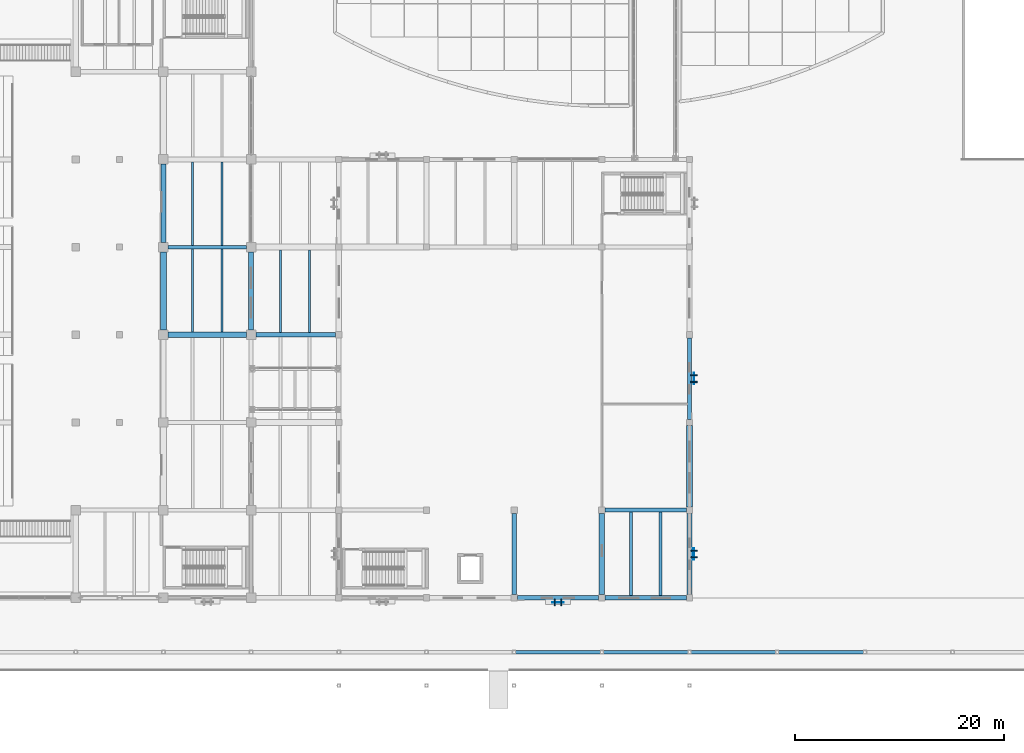
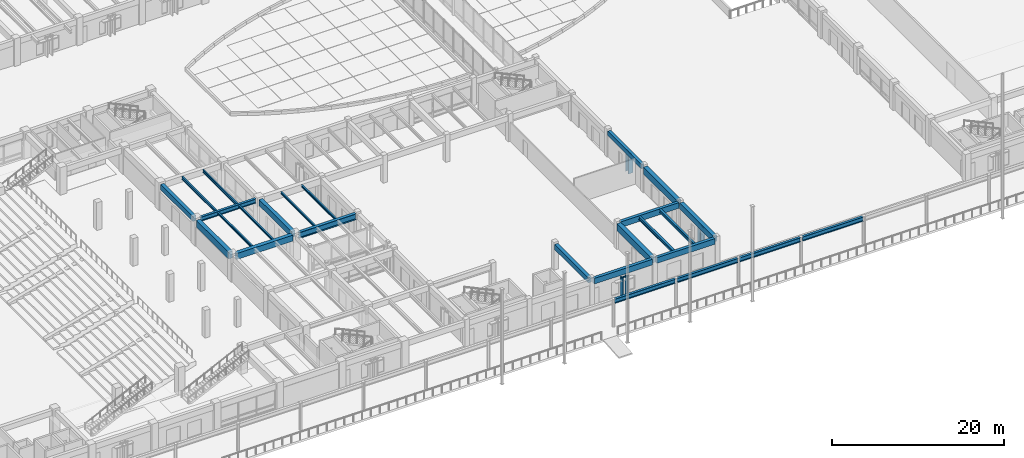
# One storey, part 31 of 135: 26 beams, 9 members, 3 elements without a shape of their own.
"""IFC4 building model written with IfcOpenShell, lengths in metres."""

from ifc_helpers import new_model, si_unit, direction, frame, origin, origin_2d, place, context, subcontext, project, spatial, rectangle, i_section, extrude, material, material_profile, profile_set, type_object, element, aggregate, save


model = new_model("IFC4")

# Units and contexts
model_context = context("Model", 3, precision=1e-05, world=origin(), true_north=direction((0.0, 1.0)))
body_context = subcontext(model_context, "Body", "Model", "MODEL_VIEW")
ifc_project = project(units=[si_unit("LENGTHUNIT", "METRE"), si_unit("AREAUNIT", "SQUARE_METRE"), si_unit("VOLUMEUNIT", "CUBIC_METRE"), si_unit("PLANEANGLEUNIT", "RADIAN"), si_unit("MASSUNIT", "GRAM", prefix="KILO")], contexts=[model_context])

# Site, building, storey
site_placement = place(None, origin())
site = spatial("IfcSite", under=ifc_project, at=site_placement, CompositionType="ELEMENT")
building_placement = place(site_placement, origin())
building = spatial("IfcBuilding", under=site, at=building_placement, Name="Cumbredor Promenade Congress Hotel", CompositionType="ELEMENT")
storey_placement = place(building_placement, origin())
storey = spatial("IfcBuildingStorey", under=building, at=storey_placement, Name="L00", CompositionType="ELEMENT", Elevation=0.0)

# Beams
ifc_material_1 = material(Name="Concrete C40/50", Category="concrete")
ifc_material_profile_1 = material_profile(ifc_material_1, rectangle(XDim=0.39990234375, YDim=0.64990234375, at=origin_2d()), Name="RC BEAM 400x650")
ifc_profile_set_1 = profile_set([ifc_material_profile_1], Name="Concrete C40/50")
beam_type_1 = type_object("IfcBeamType", Name="BM-RC-400x650", PredefinedType="BEAM", material=ifc_profile_set_1)
beam_1_placement = place(storey_placement, frame((109.199951171875, 25.5, 3.31494140625), z_axis=(0.0, 1.0, 0.0), x_axis=(-1.0, 0.0, 0.0)))
element("IfcBeam", 1, at=beam_1_placement, inside=storey, type_object=beam_type_1, Name="L01 Y-Grid Beam 190", PredefinedType="BEAM", context=body_context, shape_type="SweptSolid", body=[
    extrude(rectangle(XDim=0.39990234375, YDim=0.64990234375, at=origin_2d()), origin(), (0.0, 0.0, 1.0), 7.800048828125),
])
ifc_material_profile_2 = material_profile(ifc_material_1, rectangle(XDim=0.449951171875, YDim=0.75, at=origin_2d()), Name="RC BEAM 450x750")
ifc_profile_set_2 = profile_set([ifc_material_profile_2], Name="Concrete C40/50")
beam_type_2 = type_object("IfcBeamType", Name="BM-RC-450x750", PredefinedType="BEAM", material=ifc_profile_set_2)
beam_2_placement = place(storey_placement, frame((58.800048828125, 42.449951171875, 3.264892578125), z_axis=(0.0, 1.0, 0.0), x_axis=(-1.0, 0.0, 0.0)))
element("IfcBeam", 2, at=beam_2_placement, inside=storey, type_object=beam_type_2, Name="L01 Y-Grid Beam 095", PredefinedType="BEAM", context=body_context, shape_type="SweptSolid", body=[
    extrude(rectangle(XDim=0.449951171875, YDim=0.75, at=origin_2d()), origin(), (0.0, 0.0, 1.0), 7.5),
])
beam_3_placement = place(storey_placement, frame((92.39990234375, 8.699951171875, 3.264892578125), z_axis=(0.0, 1.0, 0.0), x_axis=(-1.0, 0.0, 0.0)))
element("IfcBeam", 3, at=beam_3_placement, inside=storey, type_object=beam_type_2, Name="L01 Y-Grid Beam 163", PredefinedType="BEAM", context=body_context, shape_type="SweptSolid", body=[
    extrude(rectangle(XDim=0.449951171875, YDim=0.75, at=origin_2d()), origin(), (0.0, 0.0, 1.0), 7.800048828125),
])
ifc_material_profile_3 = material_profile(ifc_material_1, rectangle(XDim=0.5, YDim=0.85009765625, at=origin_2d()), Name="RC BEAM 500x850")
ifc_profile_set_3 = profile_set([ifc_material_profile_3], Name="Concrete C40/50")
beam_type_3 = type_object("IfcBeamType", Name="BM-RC-500x850", PredefinedType="BEAM", material=ifc_profile_set_3)
for number, where, z_axis, x_axis, name in (
    (4, (59.25, 33.60009765625, 3.215087890625), (1.0, 0.0, 0.0), (0.0, 1.0, 0.0), "L01 X-Grid Beam 092"),
    (5, (67.199951171875, 34.050048828125, 3.215087890625), (0.0, 1.0, 0.0), (-1.0, 0.0, 0.0), "L01 Y-Grid Beam 116"),
):
    element("IfcBeam", number, at=place(storey_placement, frame(where, z_axis=z_axis, x_axis=x_axis)), inside=storey, type_object=beam_type_3, Name=name, PredefinedType="BEAM", context=body_context, shape_type="SweptSolid", body=[
        extrude(rectangle(XDim=0.5, YDim=0.85009765625, at=origin_2d()), origin(), (0.0, 0.0, 1.0), 7.5),
    ])
beam_4_placement = place(storey_placement, frame((109.199951171875, 8.699951171875, 3.215087890625), z_axis=(0.0, 1.0, 0.0), x_axis=(-1.0, 0.0, 0.0)))
element("IfcBeam", 6, at=beam_4_placement, inside=storey, type_object=beam_type_3, Name="L01 Y-Grid Beam 188", PredefinedType="BEAM", context=body_context, shape_type="SweptSolid", body=[
    extrude(rectangle(XDim=0.5, YDim=0.85009765625, at=origin_2d()), origin(), (0.0, 0.0, 1.0), 7.800048828125),
])
ifc_material_profile_4 = material_profile(ifc_material_1, rectangle(XDim=0.550048828125, YDim=0.949951171875, at=origin_2d()), Name="RC BEAM 550x950")
ifc_profile_set_4 = profile_set([ifc_material_profile_4], Name="Concrete C40/50")
beam_type_4 = type_object("IfcBeamType", Name="BM-RC-550x950", PredefinedType="BEAM", material=ifc_profile_set_4)
beam_5_placement = place(storey_placement, frame((58.800048828125, 34.050048828125, 3.1650390625), z_axis=(0.0, 1.0, 0.0), x_axis=(-1.0, 0.0, 0.0)))
element("IfcBeam", 7, at=beam_5_placement, inside=storey, type_object=beam_type_4, Name="L01 Y-Grid Beam 093", PredefinedType="BEAM", context=body_context, shape_type="SweptSolid", body=[
    extrude(rectangle(XDim=0.550048828125, YDim=0.949951171875, at=origin_2d()), origin(), (0.0, 0.0, 1.0), 7.5),
])
beam_6_placement = place(storey_placement, frame((100.800048828125, 8.699951171875, 3.1650390625), z_axis=(0.0, 1.0, 0.0), x_axis=(-1.0, 0.0, 0.0)))
element("IfcBeam", 8, at=beam_6_placement, inside=storey, type_object=beam_type_4, Name="L01 Y-Grid Beam 177", PredefinedType="BEAM", context=body_context, shape_type="SweptSolid", body=[
    extrude(rectangle(XDim=0.550048828125, YDim=0.949951171875, at=origin_2d()), origin(), (0.0, 0.0, 1.0), 7.800048828125),
])
beam_7_placement = place(storey_placement, frame((109.199951171875, 17.10009765625, 3.1650390625), z_axis=(0.0, 1.0, 0.0), x_axis=(-1.0, 0.0, 0.0)))
element("IfcBeam", 9, at=beam_7_placement, inside=storey, type_object=beam_type_4, Name="L01 Y-Grid Beam 189", PredefinedType="BEAM", context=body_context, shape_type="SweptSolid", body=[
    extrude(rectangle(XDim=0.550048828125, YDim=0.949951171875, at=origin_2d()), origin(), (0.0, 0.0, 1.0), 7.7998046875),
])
ifc_material_2 = material(Name="Steel ASTM A992 Grade 50", Category="steel")
ifc_material_profile_5 = material_profile(ifc_material_2, i_section(OverallWidth=0.323974609375, OverallDepth=0.611083984375, WebThickness=0.0126953125, FlangeThickness=0.01904296875, at=origin_2d()), Name="W24X104")
ifc_profile_set_5 = profile_set([ifc_material_profile_5], Name="Steel ASTM A992 Grade 50")
beam_type_5 = type_object("IfcBeamType", Name="BM-W24X104", PredefinedType="BEAM", material=ifc_profile_set_5)
beam_8_placement = place(storey_placement, frame((92.5400390625, 3.199951171875, 3.60009765625), z_axis=(1.0, 0.0, 0.0), x_axis=(0.0, 1.0, 0.0)))
element("IfcBeam", 10, at=beam_8_placement, inside=storey, type_object=beam_type_5, Name="Riverside Colonnade Edge Beam 11", PredefinedType="BEAM", context=body_context, shape_type="SweptSolid", body=[
    extrude(i_section(OverallWidth=0.323974609375, OverallDepth=0.611083984375, WebThickness=0.0126953125, FlangeThickness=0.01904296875, at=origin_2d()), origin(), (0.0, 0.0, 1.0), 8.119873046875),
])
beam_9_placement = place(storey_placement, frame((100.93994140625, 3.199951171875, 3.60009765625), z_axis=(1.0, 0.0, 0.0), x_axis=(0.0, 1.0, 0.0)))
element("IfcBeam", 11, at=beam_9_placement, inside=storey, type_object=beam_type_5, Name="Riverside Colonnade Edge Beam 12", PredefinedType="BEAM", context=body_context, shape_type="SweptSolid", body=[
    extrude(i_section(OverallWidth=0.323974609375, OverallDepth=0.611083984375, WebThickness=0.0126953125, FlangeThickness=0.01904296875, at=origin_2d()), origin(), (0.0, 0.0, 1.0), 8.1201171875),
])
beam_10_placement = place(storey_placement, frame((109.340087890625, 3.199951171875, 3.60009765625), z_axis=(1.0, 0.0, 0.0), x_axis=(0.0, 1.0, 0.0)))
element("IfcBeam", 12, at=beam_10_placement, inside=storey, type_object=beam_type_5, Name="Riverside Colonnade Edge Beam 13", PredefinedType="BEAM", context=body_context, shape_type="SweptSolid", body=[
    extrude(i_section(OverallWidth=0.323974609375, OverallDepth=0.611083984375, WebThickness=0.0126953125, FlangeThickness=0.01904296875, at=origin_2d()), origin(), (0.0, 0.0, 1.0), 8.119873046875),
])
beam_11_placement = place(storey_placement, frame((117.739990234375, 3.199951171875, 3.60009765625), z_axis=(1.0, 0.0, 0.0), x_axis=(0.0, 1.0, 0.0)))
element("IfcBeam", 13, at=beam_11_placement, inside=storey, type_object=beam_type_5, Name="Riverside Colonnade Edge Beam 14", PredefinedType="BEAM", context=body_context, shape_type="SweptSolid", body=[
    extrude(i_section(OverallWidth=0.323974609375, OverallDepth=0.611083984375, WebThickness=0.0126953125, FlangeThickness=0.01904296875, at=origin_2d()), origin(), (0.0, 0.0, 1.0), 8.1201171875),
])
beam_12_placement = place(storey_placement, frame((59.25, 42.0, 3.33447265625), z_axis=(1.0, 0.0, 0.0), x_axis=(0.0, 1.0, 0.0)))
element("IfcBeam", 14, at=beam_12_placement, inside=storey, type_object=beam_type_5, Name="L01 X-Grid Beam 094", PredefinedType="BEAM", context=body_context, shape_type="SweptSolid", body=[
    extrude(i_section(OverallWidth=0.323974609375, OverallDepth=0.611083984375, WebThickness=0.0126953125, FlangeThickness=0.01904296875, at=origin_2d()), origin(), (0.0, 0.0, 1.0), 7.5),
])
ifc_material_profile_6 = material_profile(ifc_material_2, i_section(OverallWidth=0.39990234375, OverallDepth=0.85498046875, WebThickness=0.018310546875, FlangeThickness=0.029296875, at=origin_2d()), Name="W33X201")
ifc_profile_set_6 = profile_set([ifc_material_profile_6], Name="Steel ASTM A992 Grade 50")
beam_type_6 = type_object("IfcBeamType", Name="BM-W33X201", PredefinedType="BEAM", material=ifc_profile_set_6)
beam_13_placement = place(storey_placement, frame((67.64990234375, 33.60009765625, 3.21240234375), z_axis=(1.0, 0.0, 0.0), x_axis=(0.0, 1.0, 0.0)))
element("IfcBeam", 15, at=beam_13_placement, inside=storey, type_object=beam_type_6, Name="L01 X-Grid Beam 115", PredefinedType="BEAM", context=body_context, shape_type="SweptSolid", body=[
    extrude(i_section(OverallWidth=0.39990234375, OverallDepth=0.85498046875, WebThickness=0.018310546875, FlangeThickness=0.029296875, at=origin_2d()), origin(), (0.0, 0.0, 1.0), 7.650146484375),
])

# Curtain wall, member
ifc_material_3 = material(Name="Thermally broken anodized aluminium and low-E glass", Category="aluminium")
curtain_wall_type = type_object("IfcCurtainWallType", Name="Solar Brise-Soleil Screen Assembly CW-07", PredefinedType="NOTDEFINED", material=ifc_material_3)
curtain_wall_1_placement = place(storey_placement, origin())
curtain_wall_1 = element("IfcCurtainWall", 16, at=curtain_wall_1_placement, inside=storey, type_object=curtain_wall_type, Name="L00 Pier Brise-Soleil Screen 0034", PredefinedType="NOTDEFINED")
ifc_material_4 = material(Name="Thermally broken anodized aluminium", Category="aluminium")
ifc_material_profile_7 = material_profile(ifc_material_4, rectangle(XDim=0.06494140625, YDim=0.1298828125, at=origin_2d()), Name="ALU TRANSOM 65x130")
ifc_profile_set_7 = profile_set([ifc_material_profile_7], Name="Thermally broken anodized aluminium")
member_type_1 = type_object("IfcMemberType", Name="Curtain Wall Transom TR-01", PredefinedType="USERDEFINED", material=ifc_profile_set_7)
member_1_placement = place(storey_placement, frame((96.050048828125, 7.965087890625, 2.6650390625), z_axis=(1.0, 0.0, 0.0), x_axis=(0.0, 1.0, 0.0)))
member_1 = element("IfcMember", 17, at=member_1_placement, type_object=member_type_1, Name="L00 Pier Brise-Soleil Header 0036", ObjectType="TRANSOM", PredefinedType="USERDEFINED", context=body_context, shape_type="SweptSolid", body=[
    extrude(rectangle(XDim=0.06494140625, YDim=0.1298828125, at=origin_2d()), origin(), (0.0, 0.0, 1.0), 1.099853515625),
])

curtain_wall_2_placement = place(storey_placement, origin())
curtain_wall_2 = element("IfcCurtainWall", 18, at=curtain_wall_2_placement, inside=storey, type_object=curtain_wall_type, Name="L00 Pier Brise-Soleil Screen 0046", PredefinedType="NOTDEFINED")
member_2_placement = place(storey_placement, frame((109.610107421875, 12.050048828125, 2.614990234375), z_axis=(0.0, 1.0, 0.0), x_axis=(-1.0, 0.0, 0.0)))
member_2 = element("IfcMember", 19, at=member_2_placement, type_object=member_type_1, Name="L00 Pier Brise-Soleil Header 0048", ObjectType="TRANSOM", PredefinedType="USERDEFINED", context=body_context, shape_type="SweptSolid", body=[
    extrude(rectangle(XDim=0.06494140625, YDim=0.1298828125, at=origin_2d()), origin(), (0.0, 0.0, 1.0), 1.099853515625),
])

curtain_wall_3_placement = place(storey_placement, origin())
curtain_wall_3 = element("IfcCurtainWall", 20, at=curtain_wall_3_placement, inside=storey, type_object=curtain_wall_type, Name="L00 Pier Brise-Soleil Screen 0049", PredefinedType="NOTDEFINED")
member_3_placement = place(storey_placement, frame((109.635009765625, 28.85009765625, 2.81494140625), z_axis=(0.0, 1.0, 0.0), x_axis=(-1.0, 0.0, 0.0)))
member_3 = element("IfcMember", 21, at=member_3_placement, type_object=member_type_1, Name="L00 Pier Brise-Soleil Header 0051", ObjectType="TRANSOM", PredefinedType="USERDEFINED", context=body_context, shape_type="SweptSolid", body=[
    extrude(rectangle(XDim=0.06494140625, YDim=0.1298828125, at=origin_2d()), origin(), (0.0, 0.0, 1.0), 1.099853515625),
])

# Beams
ifc_material_profile_8 = material_profile(ifc_material_2, i_section(OverallWidth=0.202880859375, OverallDepth=0.302978515625, WebThickness=0.007568359375, FlangeThickness=0.01318359375, at=origin_2d()), Name="W12X40")
ifc_profile_set_8 = profile_set([ifc_material_profile_8], Name="Steel ASTM A992 Grade 50")
beam_type_7 = type_object("IfcBeamType", Name="JST-W12X40", PredefinedType="JOIST", material=ifc_profile_set_8)
for number, where, z_axis, x_axis, name in (
    (22, (61.60009765625, 33.85009765625, 3.488525390625), (0.0, 1.0, 0.0), (-1.0, 0.0, 0.0), "L01 Secondary Floor Joist 0048"),
    (23, (64.39990234375, 33.85009765625, 3.488525390625), (0.0, 1.0, 0.0), (-1.0, 0.0, 0.0), "L01 Secondary Floor Joist 0049"),
):
    element("IfcBeam", number, at=place(storey_placement, frame(where, z_axis=z_axis, x_axis=x_axis)), inside=storey, type_object=beam_type_7, Name=name, PredefinedType="JOIST", context=body_context, shape_type="SweptSolid", body=[
        extrude(i_section(OverallWidth=0.202880859375, OverallDepth=0.302978515625, WebThickness=0.007568359375, FlangeThickness=0.01318359375, at=origin_2d()), origin(), (0.0, 0.0, 1.0), 7.98779296875),
    ])
for number, where, z_axis, x_axis, name in (
    (24, (70.0, 33.800048828125, 3.488525390625), (0.0, 1.0, 0.0), (-1.0, 0.0, 0.0), "L01 Secondary Floor Joist 0068"),
    (25, (72.800048828125, 33.800048828125, 3.488525390625), (0.0, 1.0, 0.0), (-1.0, 0.0, 0.0), "L01 Secondary Floor Joist 0069"),
):
    element("IfcBeam", number, at=place(storey_placement, frame(where, z_axis=z_axis, x_axis=x_axis)), inside=storey, type_object=beam_type_7, Name=name, PredefinedType="JOIST", context=body_context, shape_type="SweptSolid", body=[
        extrude(i_section(OverallWidth=0.202880859375, OverallDepth=0.302978515625, WebThickness=0.007568359375, FlangeThickness=0.01318359375, at=origin_2d()), origin(), (0.0, 0.0, 1.0), 7.925048828125),
    ])
ifc_material_profile_9 = material_profile(ifc_material_2, i_section(OverallWidth=0.180908203125, OverallDepth=0.4169921875, WebThickness=0.010986328125, FlangeThickness=0.018310546875, at=origin_2d()), Name="W16X57")
ifc_profile_set_9 = profile_set([ifc_material_profile_9], Name="Steel ASTM A992 Grade 50")
beam_type_8 = type_object("IfcBeamType", Name="JST-W16X57", PredefinedType="JOIST", material=ifc_profile_set_9)
for number, where, z_axis, x_axis, name in (
    (26, (61.60009765625, 42.162109375, 3.431396484375), (0.0, 1.0, 0.0), (-1.0, 0.0, 0.0), "L01 Secondary Floor Joist 0050"),
    (27, (64.39990234375, 42.162109375, 3.431396484375), (0.0, 1.0, 0.0), (-1.0, 0.0, 0.0), "L01 Secondary Floor Joist 0051"),
):
    element("IfcBeam", number, at=place(storey_placement, frame(where, z_axis=z_axis, x_axis=x_axis)), inside=storey, type_object=beam_type_8, Name=name, PredefinedType="JOIST", context=body_context, shape_type="SweptSolid", body=[
        extrude(i_section(OverallWidth=0.180908203125, OverallDepth=0.4169921875, WebThickness=0.010986328125, FlangeThickness=0.018310546875, at=origin_2d()), origin(), (0.0, 0.0, 1.0), 7.98779296875),
    ])
ifc_material_profile_10 = material_profile(ifc_material_2, i_section(OverallWidth=0.280029296875, OverallDepth=0.462890625, WebThickness=0.0107421875, FlangeThickness=0.017333984375, at=origin_2d()), Name="W18X76")
ifc_profile_set_10 = profile_set([ifc_material_profile_10], Name="Steel ASTM A992 Grade 50")
beam_type_9 = type_object("IfcBeamType", Name="JST-W18X76", PredefinedType="JOIST", material=ifc_profile_set_10)
for number, where, z_axis, x_axis, name in (
    (28, (103.60009765625, 8.60009765625, 3.408447265625), (0.0, 1.0, 0.0), (-1.0, 0.0, 0.0), "L01 Secondary Floor Joist 0106"),
    (29, (106.39990234375, 8.60009765625, 3.408447265625), (0.0, 1.0, 0.0), (-1.0, 0.0, 0.0), "L01 Secondary Floor Joist 0107"),
):
    element("IfcBeam", number, at=place(storey_placement, frame(where, z_axis=z_axis, x_axis=x_axis)), inside=storey, type_object=beam_type_9, Name=name, PredefinedType="JOIST", context=body_context, shape_type="SweptSolid", body=[
        extrude(i_section(OverallWidth=0.280029296875, OverallDepth=0.462890625, WebThickness=0.0107421875, FlangeThickness=0.017333984375, at=origin_2d()), origin(), (0.0, 0.0, 1.0), 8.0),
    ])
ifc_material_profile_11 = material_profile(ifc_material_1, rectangle(XDim=0.39990234375, YDim=0.800048828125, at=origin_2d()), Name="RC SPANDREL 400x800")
ifc_profile_set_11 = profile_set([ifc_material_profile_11], Name="Concrete C40/50")
beam_type_10 = type_object("IfcBeamType", Name="SP-RC-400x800", PredefinedType="SPANDREL", material=ifc_profile_set_11)
beam_14_placement = place(storey_placement, frame((92.699951171875, 8.39990234375, 3.239990234375), z_axis=(1.0, 0.0, 0.0), x_axis=(0.0, 1.0, 0.0)))
element("IfcBeam", 30, at=beam_14_placement, inside=storey, type_object=beam_type_10, Name="L01 X-Grid Beam 162", PredefinedType="SPANDREL", context=body_context, shape_type="SweptSolid", body=[
    extrude(rectangle(XDim=0.39990234375, YDim=0.800048828125, at=origin_2d()), origin(), (0.0, 0.0, 1.0), 7.800048828125),
])
for number, where, z_axis, x_axis, name in (
    (31, (101.10009765625, 8.39990234375, 3.239990234375), (1.0, 0.0, 0.0), (0.0, 1.0, 0.0), "L01 X-Grid Beam 176"),
    (32, (101.10009765625, 16.800048828125, 3.239990234375), (1.0, 0.0, 0.0), (0.0, 1.0, 0.0), "L01 X-Grid Beam 178"),
):
    element("IfcBeam", number, at=place(storey_placement, frame(where, z_axis=z_axis, x_axis=x_axis)), inside=storey, type_object=beam_type_10, Name=name, PredefinedType="SPANDREL", context=body_context, shape_type="SweptSolid", body=[
        extrude(rectangle(XDim=0.39990234375, YDim=0.800048828125, at=origin_2d()), origin(), (0.0, 0.0, 1.0), 7.7998046875),
    ])

# Member
ifc_material_profile_12 = material_profile(ifc_material_4, rectangle(XDim=0.110107421875, YDim=0.6201171875, at=origin_2d()), Name="ARCH FIN 110x620")
ifc_profile_set_12 = profile_set([ifc_material_profile_12], Name="Thermally broken anodized aluminium")
member_type_2 = type_object("IfcMemberType", Name="Vertical Bronze Brise-Soleil Fin BSF-02 110x620", PredefinedType="USERDEFINED", material=ifc_profile_set_12)
member_4_placement = place(storey_placement, frame((96.280029296875, 7.965087890625, 0.02001953125), z_axis=(0.0, 0.0, 1.0), x_axis=(1.0, 0.0, 0.0)))
member_4 = element("IfcMember", 33, at=member_4_placement, type_object=member_type_2, Name="L00 Pier Brise-Soleil Fin 0035", ObjectType="SOLAR FIN", PredefinedType="USERDEFINED", context=body_context, shape_type="SweptSolid", body=[
    extrude(rectangle(XDim=0.110107421875, YDim=0.6201171875, at=origin_2d()), origin(), (0.0, 0.0, 1.0), 2.68505859375),
])

member_5_placement = place(storey_placement, frame((96.919921875, 7.965087890625, 0.02001953125), z_axis=(0.0, 0.0, 1.0), x_axis=(1.0, 0.0, 0.0)))
member_5 = element("IfcMember", 34, at=member_5_placement, type_object=member_type_2, Name="L00 Pier Brise-Soleil Fin 0036", ObjectType="SOLAR FIN", PredefinedType="USERDEFINED", context=body_context, shape_type="SweptSolid", body=[
    extrude(rectangle(XDim=0.110107421875, YDim=0.6201171875, at=origin_2d()), origin(), (0.0, 0.0, 1.0), 2.68505859375),
])

aggregate(curtain_wall_1, [member_4, member_5, member_1])

member_6_placement = place(storey_placement, frame((109.610107421875, 12.280029296875, 0.02001953125), z_axis=(0.0, 0.0, 1.0), x_axis=(0.0, 1.0, 0.0)))
member_6 = element("IfcMember", 35, at=member_6_placement, type_object=member_type_2, Name="L00 Pier Brise-Soleil Fin 0047", ObjectType="SOLAR FIN", PredefinedType="USERDEFINED", context=body_context, shape_type="SweptSolid", body=[
    extrude(rectangle(XDim=0.110107421875, YDim=0.6201171875, at=origin_2d()), origin(), (0.0, 0.0, 1.0), 2.635009765625),
])

member_7_placement = place(storey_placement, frame((109.610107421875, 12.919921875, 0.02001953125), z_axis=(0.0, 0.0, 1.0), x_axis=(0.0, 1.0, 0.0)))
member_7 = element("IfcMember", 36, at=member_7_placement, type_object=member_type_2, Name="L00 Pier Brise-Soleil Fin 0048", ObjectType="SOLAR FIN", PredefinedType="USERDEFINED", context=body_context, shape_type="SweptSolid", body=[
    extrude(rectangle(XDim=0.110107421875, YDim=0.6201171875, at=origin_2d()), origin(), (0.0, 0.0, 1.0), 2.635009765625),
])

aggregate(curtain_wall_2, [member_6, member_7, member_2])

member_8_placement = place(storey_placement, frame((109.635009765625, 29.080078125, 0.02001953125), z_axis=(0.0, 0.0, 1.0), x_axis=(0.0, 1.0, 0.0)))
member_8 = element("IfcMember", 37, at=member_8_placement, type_object=member_type_2, Name="L00 Pier Brise-Soleil Fin 0050", ObjectType="SOLAR FIN", PredefinedType="USERDEFINED", context=body_context, shape_type="SweptSolid", body=[
    extrude(rectangle(XDim=0.110107421875, YDim=0.6201171875, at=origin_2d()), origin(), (0.0, 0.0, 1.0), 2.8349609375),
])

member_9_placement = place(storey_placement, frame((109.635009765625, 29.719970703125, 0.02001953125), z_axis=(0.0, 0.0, 1.0), x_axis=(0.0, 1.0, 0.0)))
member_9 = element("IfcMember", 38, at=member_9_placement, type_object=member_type_2, Name="L00 Pier Brise-Soleil Fin 0051", ObjectType="SOLAR FIN", PredefinedType="USERDEFINED", context=body_context, shape_type="SweptSolid", body=[
    extrude(rectangle(XDim=0.110107421875, YDim=0.6201171875, at=origin_2d()), origin(), (0.0, 0.0, 1.0), 2.8349609375),
])

aggregate(curtain_wall_3, [member_8, member_9, member_3])

save(model, "model.ifc")
